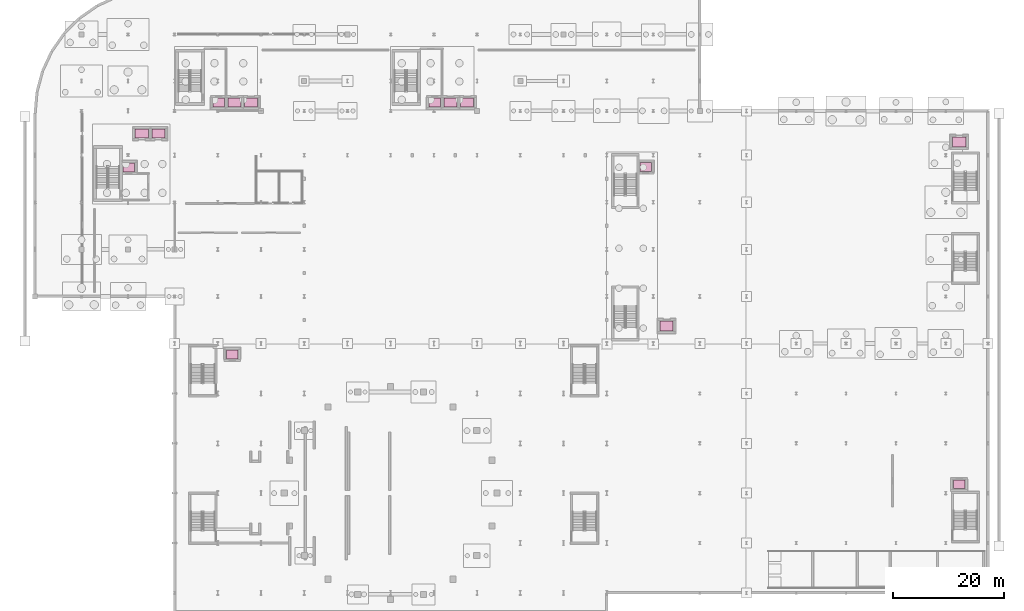
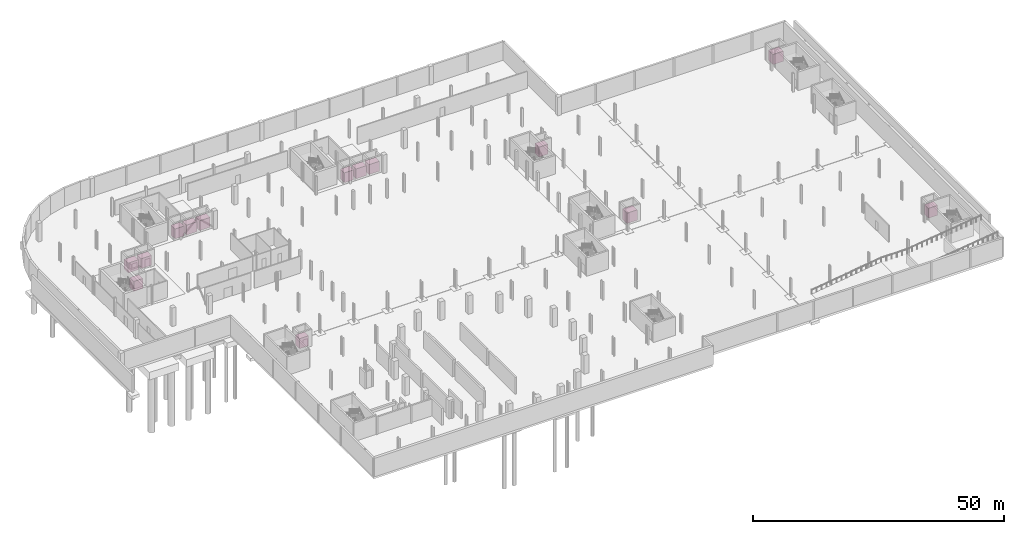
# One storey, part 45 of 45: 14 transport elements.
"""IFC4 building model written with IfcOpenShell, lengths in metres."""

from ifc_helpers import new_model, si_unit, direction, frame, origin, origin_2d, place, context, subcontext, project, spatial, rectangle, extrude, material, type_object, element, save


model = new_model("IFC4")

# Units and contexts
model_context = context("Model", 3, precision=1e-05, world=origin(), true_north=direction((0.0, 1.0)))
body_context = subcontext(model_context, "Body", "Model", "MODEL_VIEW")
ifc_project = project(units=[si_unit("LENGTHUNIT", "METRE"), si_unit("AREAUNIT", "SQUARE_METRE"), si_unit("VOLUMEUNIT", "CUBIC_METRE"), si_unit("PLANEANGLEUNIT", "RADIAN"), si_unit("MASSUNIT", "GRAM", prefix="KILO")], contexts=[model_context])

# Site, building, storey
site_placement = place(None, origin())
site = spatial("IfcSite", under=ifc_project, at=site_placement, CompositionType="ELEMENT")
building_placement = place(site_placement, origin())
building = spatial("IfcBuilding", under=site, at=building_placement, Name="Sefraquen Railside Congress Hotel", CompositionType="ELEMENT")
storey_placement = place(building_placement, frame((0.0, 0.0, -4.5)))
storey = spatial("IfcBuildingStorey", under=building, at=storey_placement, Name="B01", CompositionType="ELEMENT", Elevation=-4.5)

# Transport elements
ifc_material_1 = material(Name="Brushed bronze and stainless steel cabin", Category="steel")
transport_element_type_1 = type_object("IfcTransportElementType", Name="TLF-FF-1600", PredefinedType="ELEVATOR", material=ifc_material_1)
for number, where, z_axis, x_axis, name in (
    (1, (16.929931640625, 85.800048828125, 0.0), (0.0, 0.0, 1.0), (1.0, 0.0, 0.0), "Firefighting lift FL-01"),
    (2, (33.159912109375, 97.5, 0.0), (0.0, 0.0, 1.0), (1.0, 0.0, 0.0), "Firefighting lift FL-02"),
    (3, (72.159912109375, 97.5, 0.0), (0.0, 0.0, 1.0), (1.0, 0.0, 0.0), "Firefighting lift FL-03"),
):
    element("IfcTransportElement", number, at=place(storey_placement, frame(where, z_axis=z_axis, x_axis=x_axis)), inside=storey, type_object=transport_element_type_1, Name=name, PredefinedType="ELEVATOR", context=body_context, shape_type="SweptSolid", body=[
        extrude(rectangle(XDim=2.10009765625, YDim=1.60009765625, at=origin_2d()), origin(), (0.0, 0.0, 1.0), 2.39990234375),
    ])
ifc_material_2 = material(Name="Brushed bronze passenger cabin", Category="metal")
transport_element_type_2 = type_object("IfcTransportElementType", Name="TLF-PAX-1600", PredefinedType="ELEVATOR", material=ifc_material_2)
for number, where, z_axis, x_axis, name in (
    (4, (110.22998046875, 85.85009765625, 0.0), (0.0, 0.0, 1.0), (1.0, 0.0, 0.0), "Passenger/Service lift PL-07"),
    (5, (35.60009765625, 52.050048828125, 0.0), (0.0, 0.0, 1.0), (1.0, 0.0, 0.0), "Passenger/Service lift PL-08"),
    (6, (166.800048828125, 28.60009765625, 0.0), (0.0, 0.0, 1.0), (1.0, 0.0, 0.0), "Passenger/Service lift PL-09"),
):
    element("IfcTransportElement", number, at=place(storey_placement, frame(where, z_axis=z_axis, x_axis=x_axis)), inside=storey, type_object=transport_element_type_2, Name=name, PredefinedType="ELEVATOR", context=body_context, shape_type="SweptSolid", body=[
        extrude(rectangle(XDim=2.10009765625, YDim=1.60009765625, at=origin_2d()), origin(), (0.0, 0.0, 1.0), 2.39990234375),
    ])
ifc_material_3 = material(Name="Brushed bronze and cedar passenger cabin", Category="metal")
transport_element_type_3 = type_object("IfcTransportElementType", Name="TLF-PAX-2000", PredefinedType="ELEVATOR", material=ifc_material_3)
for number, where, z_axis, x_axis, name in (
    (7, (19.300048828125, 91.89990234375, 0.0), (0.0, 0.0, 1.0), (1.0, 0.0, 0.0), "Passenger/Service lift PL-01"),
    (8, (22.2900390625, 91.89990234375, 0.0), (0.0, 0.0, 1.0), (1.0, 0.0, 0.0), "Passenger/Service lift PL-02"),
    (9, (36.0, 97.5, 0.0), (0.0, 0.0, 1.0), (1.0, 0.0, 0.0), "Passenger/Service lift PL-03"),
    (10, (38.989990234375, 97.5, 0.0), (0.0, 0.0, 1.0), (1.0, 0.0, 0.0), "Passenger/Service lift PL-04"),
    (11, (75.0, 97.5, 0.0), (0.0, 0.0, 1.0), (1.0, 0.0, 0.0), "Passenger/Service lift PL-05"),
    (12, (77.989990234375, 97.5, 0.0), (0.0, 0.0, 1.0), (1.0, 0.0, 0.0), "Passenger/Service lift PL-06"),
):
    element("IfcTransportElement", number, at=place(storey_placement, frame(where, z_axis=z_axis, x_axis=x_axis)), inside=storey, type_object=transport_element_type_3, Name=name, PredefinedType="ELEVATOR", context=body_context, shape_type="SweptSolid", body=[
        extrude(rectangle(XDim=2.39990234375, YDim=1.60009765625, at=origin_2d()), origin(), (0.0, 0.0, 1.0), 2.39990234375),
    ])
ifc_material_4 = material(Name="Heavy-duty stainless steel goods cabin", Category="steel")
transport_element_type_4 = type_object("IfcTransportElementType", Name="TLF-SRV-2500", PredefinedType="ELEVATOR", material=ifc_material_4)
for number, where, z_axis, x_axis, name in (
    (13, (114.0, 57.169921875, 0.0), (0.0, 0.0, 1.0), (1.0, 0.0, 0.0), "Passenger/Service lift SL-01"),
    (14, (166.800048828125, 90.39990234375, 0.0), (0.0, 0.0, 1.0), (1.0, 0.0, 0.0), "Passenger/Service lift SL-02"),
):
    element("IfcTransportElement", number, at=place(storey_placement, frame(where, z_axis=z_axis, x_axis=x_axis)), inside=storey, type_object=transport_element_type_4, Name=name, PredefinedType="ELEVATOR", context=body_context, shape_type="SweptSolid", body=[
        extrude(rectangle(XDim=2.39990234375, YDim=1.800048828125, at=origin_2d()), origin(), (0.0, 0.0, 1.0), 2.5),
    ])

save(model, "model.ifc")
